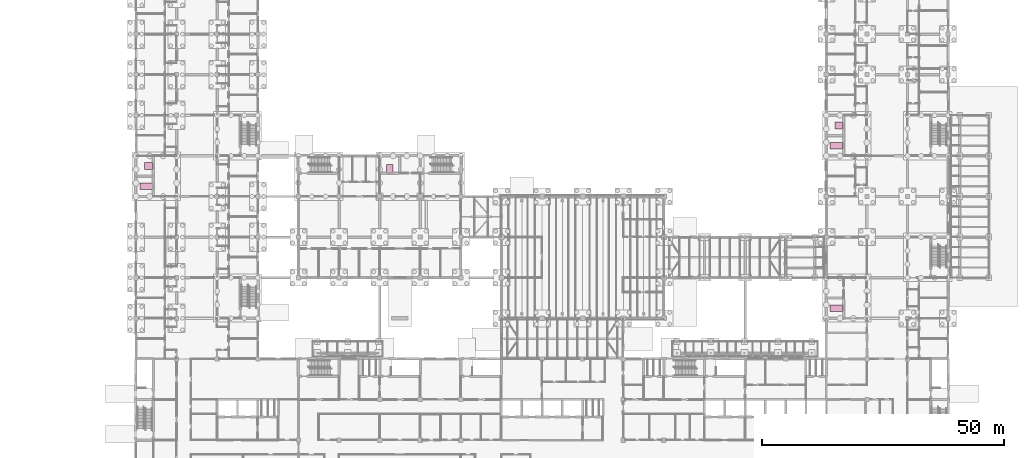
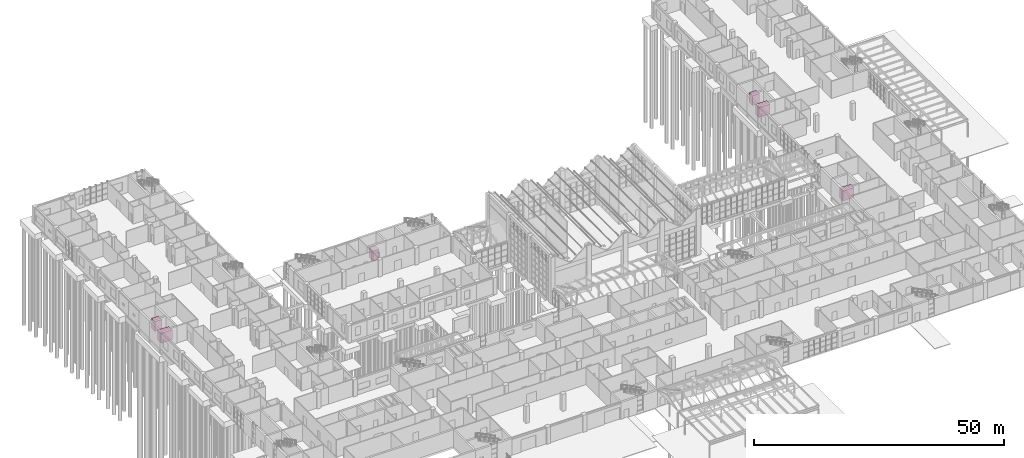
# One storey, part 138 of 138: 6 transport elements.
"""IFC4 building model written with IfcOpenShell, lengths in metres."""

from ifc_helpers import new_model, si_unit, direction, frame, origin, origin_2d, place, context, subcontext, project, spatial, rectangle, extrude, material, type_object, element, save


model = new_model("IFC4")

# Units and contexts
model_context = context("Model", 3, precision=1e-05, world=origin(), true_north=direction((0.0, 1.0)))
body_context = subcontext(model_context, "Body", "Model", "MODEL_VIEW")
ifc_project = project(units=[si_unit("LENGTHUNIT", "METRE"), si_unit("AREAUNIT", "SQUARE_METRE"), si_unit("VOLUMEUNIT", "CUBIC_METRE"), si_unit("PLANEANGLEUNIT", "RADIAN"), si_unit("MASSUNIT", "GRAM", prefix="KILO")], contexts=[model_context])

# Site, building, storey
site_placement = place(None, origin())
site = spatial("IfcSite", under=ifc_project, at=site_placement, CompositionType="ELEMENT")
building_placement = place(site_placement, origin())
building = spatial("IfcBuilding", under=site, at=building_placement, Name="Yavir Park General Hospital", CompositionType="ELEMENT")
storey_placement = place(building_placement, origin())
storey = spatial("IfcBuildingStorey", under=building, at=storey_placement, Name="L00", CompositionType="ELEMENT", Elevation=0.0)

# Transport elements
ifc_material_1 = material(Name="Stainless steel", Category="steel")
transport_element_type_1 = type_object("IfcTransportElementType", Name="Lift car 1400 x 1600 mm, 1000 kg", PredefinedType="ELEVATOR", material=ifc_material_1)
transport_element_1_placement = place(storey_placement, frame((2.60009765625, 73.5, 0.0), z_axis=(0.0, 0.0, 1.0), x_axis=(1.0, 0.0, 0.0)))
element("IfcTransportElement", 1, at=transport_element_1_placement, inside=storey, type_object=transport_element_type_1, Name="Lift PL6", PredefinedType="ELEVATOR", context=body_context, shape_type="SweptSolid", body=[
    extrude(rectangle(XDim=1.60009765625, YDim=1.39990234375, at=origin_2d()), origin(), (0.0, 0.0, 1.0), 2.39990234375),
])
transport_element_2_placement = place(storey_placement, frame((52.5, 73.0, 0.0), z_axis=(0.0, 0.0, 1.0), x_axis=(1.0, 0.0, 0.0)))
element("IfcTransportElement", 2, at=transport_element_2_placement, inside=storey, type_object=transport_element_type_1, Name="Lift PL8", PredefinedType="ELEVATOR", context=body_context, shape_type="SweptSolid", body=[
    extrude(rectangle(XDim=1.39990234375, YDim=1.60009765625, at=origin_2d()), origin(), (0.0, 0.0, 1.0), 2.39990234375),
])
transport_element_3_placement = place(storey_placement, frame((145.39990234375, 81.89990234375, 0.0), z_axis=(0.0, 0.0, 1.0), x_axis=(1.0, 0.0, 0.0)))
element("IfcTransportElement", 3, at=transport_element_3_placement, inside=storey, type_object=transport_element_type_1, Name="Lift PL7", PredefinedType="ELEVATOR", context=body_context, shape_type="SweptSolid", body=[
    extrude(rectangle(XDim=1.60009765625, YDim=1.39990234375, at=origin_2d()), origin(), (0.0, 0.0, 1.0), 2.39990234375),
])
ifc_material_2 = material(Name="Stainless steel", Category="steel")
transport_element_type_2 = type_object("IfcTransportElementType", Name="Lift car 1400 x 2600 mm, 2500 kg", PredefinedType="ELEVATOR", material=ifc_material_2)
for number, where, z_axis, x_axis, name in (
    (4, (2.10009765625, 69.300048828125, 0.0), (0.0, 0.0, 1.0), (1.0, 0.0, 0.0), "Lift BL7"),
    (5, (144.89990234375, 44.10009765625, 0.0), (0.0, 0.0, 1.0), (1.0, 0.0, 0.0), "Lift BL8"),
    (6, (144.89990234375, 77.699951171875, 0.0), (0.0, 0.0, 1.0), (1.0, 0.0, 0.0), "Lift BL6"),
):
    element("IfcTransportElement", number, at=place(storey_placement, frame(where, z_axis=z_axis, x_axis=x_axis)), inside=storey, type_object=transport_element_type_2, Name=name, PredefinedType="ELEVATOR", context=body_context, shape_type="SweptSolid", body=[
        extrude(rectangle(XDim=2.60009765625, YDim=1.39990234375, at=origin_2d()), origin(), (0.0, 0.0, 1.0), 2.39990234375),
    ])

save(model, "model.ifc")
